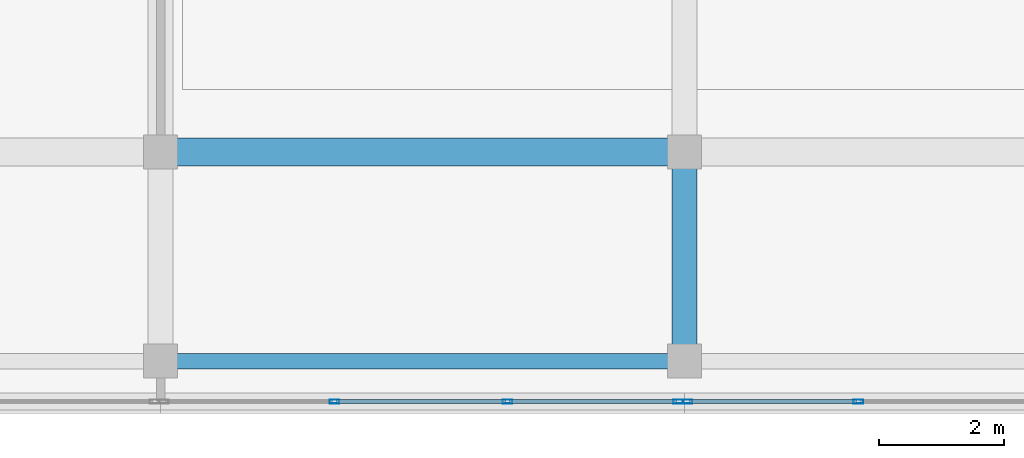
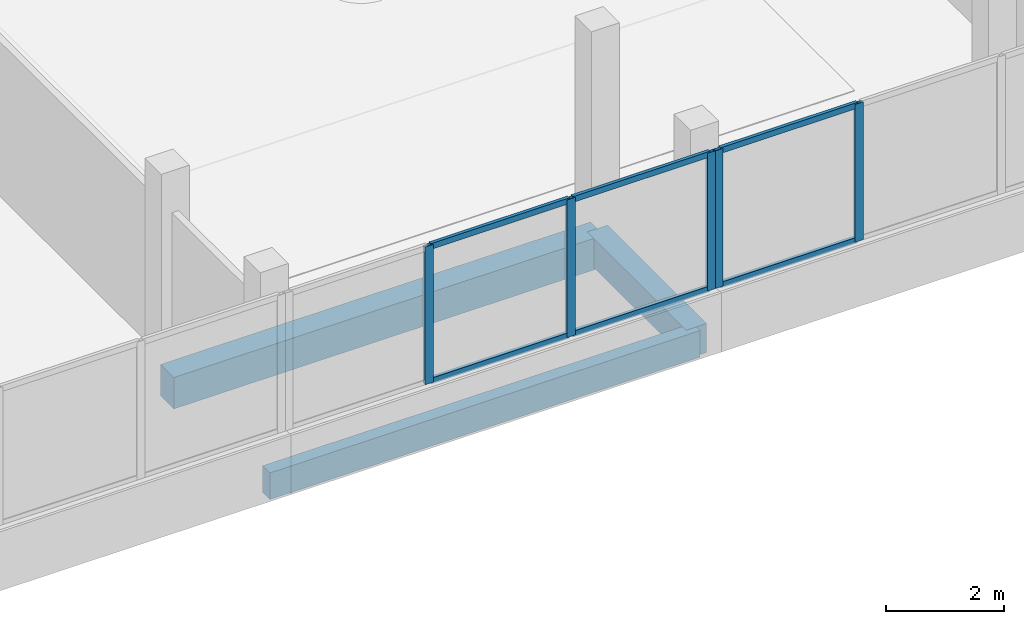
# One storey, part 30 of 66: 11 members, 3 beams, 2 elements without a shape of their own.
"""IFC4 building model written with IfcOpenShell, lengths in metres."""

from ifc_helpers import new_model, si_unit, direction, frame, origin, origin_2d, place, context, subcontext, project, spatial, rectangle, hollow_rectangle, extrude, material, material_profile, profile_set, type_object, element, aggregate, save


model = new_model("IFC4")

# Units and contexts
model_context = context("Model", 3, precision=1e-05, world=origin(), true_north=direction((0.0, 1.0)))
body_context = subcontext(model_context, "Body", "Model", "MODEL_VIEW")
ifc_project = project(units=[si_unit("LENGTHUNIT", "METRE"), si_unit("AREAUNIT", "SQUARE_METRE"), si_unit("VOLUMEUNIT", "CUBIC_METRE"), si_unit("PLANEANGLEUNIT", "RADIAN"), si_unit("MASSUNIT", "GRAM", prefix="KILO")], contexts=[model_context])

# Site, building, storey
site_placement = place(None, origin())
site = spatial("IfcSite", under=ifc_project, at=site_placement, CompositionType="ELEMENT")
building_placement = place(site_placement, origin())
building = spatial("IfcBuilding", under=site, at=building_placement, Name="Selatvlak General Hospital", CompositionType="ELEMENT")
storey_placement = place(building_placement, frame((0.0, 0.0, 31.35009765625)))
storey = spatial("IfcBuildingStorey", under=building, at=storey_placement, Name="L07", CompositionType="ELEMENT", Elevation=31.35009765625)

# Beams
ifc_material_1 = material(Name="Concrete C40/50", Category="concrete")
ifc_material_profile_1 = material_profile(ifc_material_1, rectangle(XDim=0.449951171875, YDim=0.64990234375, at=origin_2d()), Name="RC-BM 450x650")
ifc_profile_set_1 = profile_set([ifc_material_profile_1], Name="Concrete C40/50")
beam_type_1 = type_object("IfcBeamType", Name="BM-G04", PredefinedType="BEAM", material=ifc_profile_set_1)
beam_1_placement = place(storey_placement, frame((132.0, 92.0, -0.59521484375), z_axis=(1.0, 0.0, 0.0), x_axis=(0.0, 1.0, 0.0)))
element("IfcBeam", 1, at=beam_1_placement, inside=storey, type_object=beam_type_1, Name="Beam BMR-L07-2394", PredefinedType="BEAM", context=body_context, shape_type="SweptSolid", body=[
    extrude(rectangle(XDim=0.449951171875, YDim=0.64990234375, at=origin_2d()), origin(), (0.0, 0.0, 1.0), 8.39990234375),
])
ifc_material_profile_2 = material_profile(ifc_material_1, rectangle(XDim=0.39990234375, YDim=0.60009765625, at=origin_2d()), Name="RC-BM 400x600")
ifc_profile_set_2 = profile_set([ifc_material_profile_2], Name="Concrete C40/50")
beam_type_2 = type_object("IfcBeamType", Name="BM-G05", PredefinedType="BEAM", material=ifc_profile_set_2)
beam_2_placement = place(storey_placement, frame((140.39990234375, 88.64990234375, -0.570068359375), z_axis=(0.0, 1.0, 0.0), x_axis=(-1.0, 0.0, 0.0)))
element("IfcBeam", 2, at=beam_2_placement, inside=storey, type_object=beam_type_2, Name="Beam BMR-L07-2523", PredefinedType="BEAM", context=body_context, shape_type="SweptSolid", body=[
    extrude(rectangle(XDim=0.39990234375, YDim=0.60009765625, at=origin_2d()), origin(), (0.0, 0.0, 1.0), 3.35009765625),
])
ifc_material_profile_3 = material_profile(ifc_material_1, rectangle(XDim=0.25, YDim=0.550048828125, at=origin_2d()), Name="RC-SP 250x550")
ifc_profile_set_3 = profile_set([ifc_material_profile_3], Name="Concrete C40/50")
beam_type_3 = type_object("IfcBeamType", Name="BM-SP2", PredefinedType="SPANDREL", material=ifc_profile_set_3)
beam_3_placement = place(storey_placement, frame((132.0, 88.64990234375, -0.545166015625), z_axis=(1.0, 0.0, 0.0), x_axis=(0.0, 1.0, 0.0)))
element("IfcBeam", 3, at=beam_3_placement, inside=storey, type_object=beam_type_3, Name="Beam BMR-L07-2375", PredefinedType="SPANDREL", context=body_context, shape_type="SweptSolid", body=[
    extrude(rectangle(XDim=0.25, YDim=0.550048828125, at=origin_2d()), origin(), (0.0, 0.0, 1.0), 8.39990234375),
])

# Curtain wall, members
ifc_material_2 = material(Name="Solar-control Low-E double glazing", Category="glass")
curtain_wall_type_1 = type_object("IfcCurtainWallType", Name="CW-CW-01", PredefinedType="USERDEFINED", material=ifc_material_2)
curtain_wall_1_placement = place(storey_placement, origin())
curtain_wall_1 = element("IfcCurtainWall", 4, at=curtain_wall_1_placement, inside=storey, type_object=curtain_wall_type_1, Name="Glazed facade curtain wall CW-L07-0665", ObjectType="UNITISED CURTAIN WALL", PredefinedType="USERDEFINED")
ifc_material_3 = material(Name="Dark anodised aluminium mullion", Category="aluminium")
ifc_material_profile_4 = material_profile(ifc_material_3, hollow_rectangle(XDim=0.06494140625, YDim=0.159912109375, WallThickness=0.00390625, at=origin_2d()), Name="AL-MUL 65x160x4")
ifc_profile_set_4 = profile_set([ifc_material_profile_4], Name="Dark anodised aluminium mullion")
member_type_1 = type_object("IfcMemberType", Name="CWM-01", PredefinedType="MULLION", material=ifc_profile_set_4)
member_1_placement = place(storey_placement, frame((143.188232421875, 88.0009765625, 0.93994140625), z_axis=(0.0, 0.0, 1.0), x_axis=(0.0, -1.0, 0.0)))
member_1 = element("IfcMember", 5, at=member_1_placement, type_object=member_type_1, Name="CW-01 mullion 3", PredefinedType="MULLION", context=body_context, shape_type="SweptSolid", body=[
    extrude(hollow_rectangle(XDim=0.06494140625, YDim=0.159912109375, WallThickness=0.00390625, at=origin_2d()), origin(), (0.0, 0.0, 1.0), 2.844970703125),
])
member_2_placement = place(storey_placement, frame((140.447509765625, 88.0009765625, 0.93994140625), z_axis=(0.0, 0.0, 1.0), x_axis=(0.0, -1.0, 0.0)))
member_2 = element("IfcMember", 6, at=member_2_placement, type_object=member_type_1, Name="CW-01 mullion 4", PredefinedType="MULLION", context=body_context, shape_type="SweptSolid", body=[
    extrude(hollow_rectangle(XDim=0.06494140625, YDim=0.159912109375, WallThickness=0.00390625, at=origin_2d()), origin(), (0.0, 0.0, 1.0), 2.844970703125),
])

curtain_wall_type_2 = type_object("IfcCurtainWallType", Name="CW-CW-02", PredefinedType="USERDEFINED", material=ifc_material_2)
curtain_wall_2_placement = place(storey_placement, origin())
curtain_wall_2 = element("IfcCurtainWall", 7, at=curtain_wall_2_placement, inside=storey, type_object=curtain_wall_type_2, Name="Glazed facade curtain wall CW-L07-0666", ObjectType="UNITISED CURTAIN WALL", PredefinedType="USERDEFINED")
member_3_placement = place(storey_placement, frame((140.302490234375, 88.0009765625, 0.93994140625), z_axis=(0.0, 0.0, 1.0), x_axis=(0.0, -1.0, 0.0)))
member_3 = element("IfcMember", 8, at=member_3_placement, type_object=member_type_1, Name="CW-02 mullion 1", PredefinedType="MULLION", context=body_context, shape_type="SweptSolid", body=[
    extrude(hollow_rectangle(XDim=0.06494140625, YDim=0.159912109375, WallThickness=0.00390625, at=origin_2d()), origin(), (0.0, 0.0, 1.0), 2.844970703125),
])
member_4_placement = place(storey_placement, frame((137.561767578125, 88.0009765625, 0.93994140625), z_axis=(0.0, 0.0, 1.0), x_axis=(0.0, -1.0, 0.0)))
member_4 = element("IfcMember", 9, at=member_4_placement, type_object=member_type_1, Name="CW-02 mullion 2", PredefinedType="MULLION", context=body_context, shape_type="SweptSolid", body=[
    extrude(hollow_rectangle(XDim=0.06494140625, YDim=0.159912109375, WallThickness=0.00390625, at=origin_2d()), origin(), (0.0, 0.0, 1.0), 2.844970703125),
])
member_5_placement = place(storey_placement, frame((134.788330078125, 88.0009765625, 0.93994140625), z_axis=(0.0, 0.0, 1.0), x_axis=(0.0, -1.0, 0.0)))
member_5 = element("IfcMember", 10, at=member_5_placement, type_object=member_type_1, Name="CW-02 mullion 3", PredefinedType="MULLION", context=body_context, shape_type="SweptSolid", body=[
    extrude(hollow_rectangle(XDim=0.06494140625, YDim=0.159912109375, WallThickness=0.00390625, at=origin_2d()), origin(), (0.0, 0.0, 1.0), 2.844970703125),
])

# Member
ifc_material_profile_5 = material_profile(ifc_material_3, hollow_rectangle(XDim=0.06494140625, YDim=0.1201171875, WallThickness=0.00390625, at=origin_2d()), Name="AL-TRN 65x120x4")
ifc_profile_set_5 = profile_set([ifc_material_profile_5], Name="Dark anodised aluminium mullion")
member_type_2 = type_object("IfcMemberType", Name="CWT-01", PredefinedType="USERDEFINED", material=ifc_profile_set_5)
member_6_placement = place(storey_placement, frame((143.15576171875, 88.0009765625, 0.972412109375), z_axis=(-1.0, 0.0, 0.0), x_axis=(0.0, -1.0, 0.0)))
member_6 = element("IfcMember", 11, at=member_6_placement, type_object=member_type_2, Name="CW-01 transom 3.1", ObjectType="TRANSOM", PredefinedType="USERDEFINED", context=body_context, shape_type="SweptSolid", body=[
    extrude(hollow_rectangle(XDim=0.06494140625, YDim=0.1201171875, WallThickness=0.00390625, at=origin_2d()), origin(), (0.0, 0.0, 1.0), 2.67578125),
])

member_7_placement = place(storey_placement, frame((143.15576171875, 88.0009765625, 3.75244140625), z_axis=(-1.0, 0.0, 0.0), x_axis=(0.0, -1.0, 0.0)))
member_7 = element("IfcMember", 12, at=member_7_placement, type_object=member_type_2, Name="CW-01 transom 3.2", ObjectType="TRANSOM", PredefinedType="USERDEFINED", context=body_context, shape_type="SweptSolid", body=[
    extrude(hollow_rectangle(XDim=0.06494140625, YDim=0.1201171875, WallThickness=0.00390625, at=origin_2d()), origin(), (0.0, 0.0, 1.0), 2.67578125),
])

aggregate(curtain_wall_1, [member_1, member_2, member_6, member_7])

member_8_placement = place(storey_placement, frame((140.27001953125, 88.0009765625, 0.972412109375), z_axis=(-1.0, 0.0, 0.0), x_axis=(0.0, -1.0, 0.0)))
member_8 = element("IfcMember", 13, at=member_8_placement, type_object=member_type_2, Name="CW-02 transom 1.1", ObjectType="TRANSOM", PredefinedType="USERDEFINED", context=body_context, shape_type="SweptSolid", body=[
    extrude(hollow_rectangle(XDim=0.06494140625, YDim=0.1201171875, WallThickness=0.00390625, at=origin_2d()), origin(), (0.0, 0.0, 1.0), 2.67578125),
])

member_9_placement = place(storey_placement, frame((140.27001953125, 88.0009765625, 3.75244140625), z_axis=(-1.0, 0.0, 0.0), x_axis=(0.0, -1.0, 0.0)))
member_9 = element("IfcMember", 14, at=member_9_placement, type_object=member_type_2, Name="CW-02 transom 1.2", ObjectType="TRANSOM", PredefinedType="USERDEFINED", context=body_context, shape_type="SweptSolid", body=[
    extrude(hollow_rectangle(XDim=0.06494140625, YDim=0.1201171875, WallThickness=0.00390625, at=origin_2d()), origin(), (0.0, 0.0, 1.0), 2.67578125),
])

member_10_placement = place(storey_placement, frame((137.529052734375, 88.0009765625, 0.972412109375), z_axis=(-1.0, 0.0, 0.0), x_axis=(0.0, -1.0, 0.0)))
member_10 = element("IfcMember", 15, at=member_10_placement, type_object=member_type_2, Name="CW-02 transom 2.1", ObjectType="TRANSOM", PredefinedType="USERDEFINED", context=body_context, shape_type="SweptSolid", body=[
    extrude(hollow_rectangle(XDim=0.06494140625, YDim=0.1201171875, WallThickness=0.00390625, at=origin_2d()), origin(), (0.0, 0.0, 1.0), 2.708251953125),
])

member_11_placement = place(storey_placement, frame((137.529052734375, 88.0009765625, 3.75244140625), z_axis=(-1.0, 0.0, 0.0), x_axis=(0.0, -1.0, 0.0)))
member_11 = element("IfcMember", 16, at=member_11_placement, type_object=member_type_2, Name="CW-02 transom 2.2", ObjectType="TRANSOM", PredefinedType="USERDEFINED", context=body_context, shape_type="SweptSolid", body=[
    extrude(hollow_rectangle(XDim=0.06494140625, YDim=0.1201171875, WallThickness=0.00390625, at=origin_2d()), origin(), (0.0, 0.0, 1.0), 2.708251953125),
])

aggregate(curtain_wall_2, [member_3, member_4, member_5, member_8, member_9, member_10, member_11])

save(model, "model.ifc")
